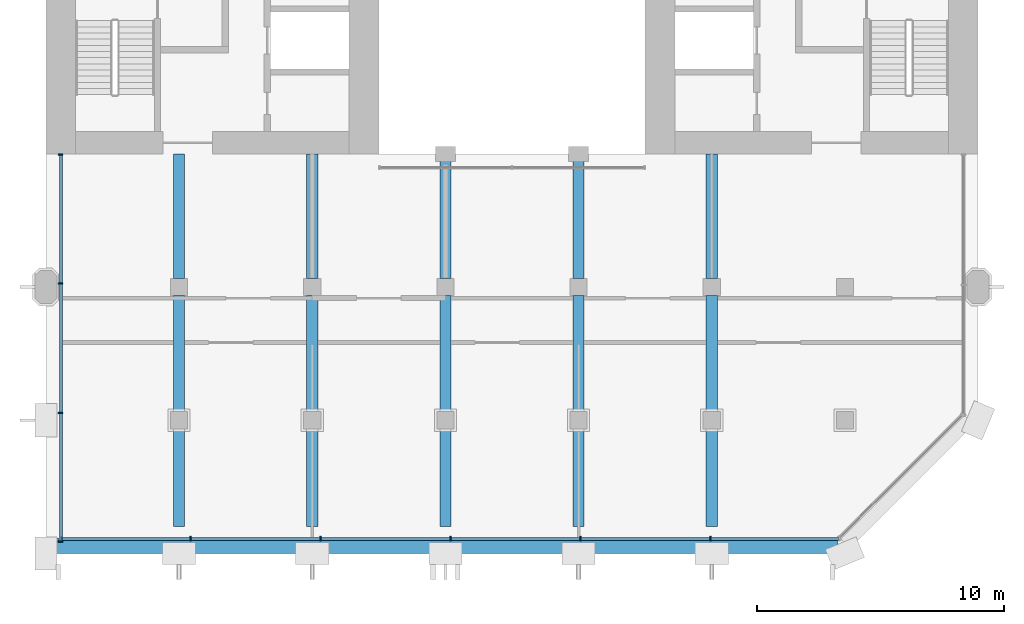
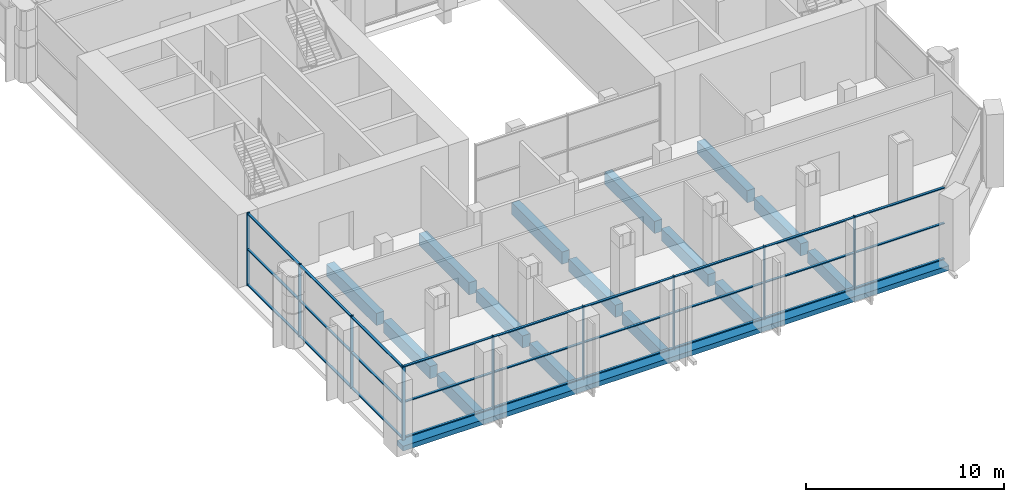
# One storey, part 2 of 13: 37 members, 16 beams, 2 elements without a shape of their own.
"""IFC4 building model written with IfcOpenShell, lengths in metres."""

import ifcopenshell
import ifcopenshell.guid

model = None  # the IFC model being written
_history = None  # IfcOwnerHistory: only IFC2X3 demands one
_inside = {}  # id of a spatial element -> (the spatial element, [elements in it])
_under = {}  # id of a project, library or spatial element -> (it, [spatial elements below it])
_declared = {}  # id of a project -> (the project, [libraries it declares])
_typed = {}  # id of a type object -> (the type object, [elements of that type])
_made_of = {}  # id of a material, layer set ... -> (it, [elements and type objects made of it])


def new_model(schema):
    """Start an empty IFC model of exactly this schema.

    Asked for "IFC4X3", IfcOpenShell would pick the latest addendum, in which some entities
    have other attributes; the version numbers below select the first issue.
    IFC2X3 requires an IfcOwnerHistory on every rooted entity: one is made here for all.
    """
    global model, _history
    if schema == "IFC4X3":
        model = ifcopenshell.file(schema_version=(4, 3, 0, 0))
    else:
        model = ifcopenshell.file(schema=schema)
    _inside.clear()
    _under.clear()
    _declared.clear()
    _typed.clear()
    _made_of.clear()
    _history = None
    if model.schema == "IFC2X3":
        org = make("IfcOrganization", Name="unknown")
        user = make(
            "IfcPersonAndOrganization",
            ThePerson=make("IfcPerson", FamilyName="unknown"),
            TheOrganization=org,
        )
        app = make(
            "IfcApplication",
            ApplicationDeveloper=org,
            Version="unknown",
            ApplicationFullName="unknown",
            ApplicationIdentifier="unknown",
        )
        _history = make(
            "IfcOwnerHistory",
            OwningUser=user,
            OwningApplication=app,
            ChangeAction="ADDED",
            CreationDate=0,
        )
    return model


def make(cls, **values):
    """One entity of the class cls with the attributes given. An attribute that is None is left unset."""
    return model.create_entity(
        cls, **{name: value for name, value in values.items() if value is not None}
    )


def rooted(cls, **values):
    """An entity with a GlobalId (a new one), such as an element, a storey or a relation."""
    return make(cls, GlobalId=ifcopenshell.guid.new(), OwnerHistory=_history, **values)


def si_unit(unit_type, name, prefix=None):
    """IfcSIUnit, for example si_unit("LENGTHUNIT", "METRE", prefix="MILLI")."""
    return make("IfcSIUnit", UnitType=unit_type, Prefix=prefix, Name=name)


def assignment(units):
    """IfcUnitAssignment: the units of a project."""
    return None if units is None else make("IfcUnitAssignment", Units=units)


def point(xyz):
    """IfcCartesianPoint."""
    return None if xyz is None else make("IfcCartesianPoint", Coordinates=xyz)


def direction(xyz):
    """IfcDirection."""
    return None if xyz is None else make("IfcDirection", DirectionRatios=xyz)


def frame(location, z_axis=None, x_axis=None):
    """IfcAxis2Placement3D, a coordinate frame: its origin and axes. An axis left out is left unset."""
    return make(
        "IfcAxis2Placement3D",
        Location=point(location),
        Axis=direction(z_axis),
        RefDirection=direction(x_axis),
    )


def frame_2d(location, x_axis=None):
    """IfcAxis2Placement2D, a coordinate frame in the plane: its origin and x axis."""
    return make(
        "IfcAxis2Placement2D", Location=point(location), RefDirection=direction(x_axis)
    )


def origin():
    """The frame at (0, 0, 0) with its axes left unset."""
    return frame((0.0, 0.0, 0.0))


def origin_2d():
    """The frame at (0, 0) in the plane with its x axis left unset."""
    return frame_2d((0.0, 0.0))


def place(relative_to, where):
    """IfcLocalPlacement: puts the frame where relative to a parent placement (None: the world)."""
    return make(
        "IfcLocalPlacement", PlacementRelTo=relative_to, RelativePlacement=where
    )


def context(
    kind, dimensions, precision=None, world=None, true_north=None, identifier=None
):
    """IfcGeometricRepresentationContext, for example the 3D "Model" context."""
    return make(
        "IfcGeometricRepresentationContext",
        ContextIdentifier=identifier,
        ContextType=kind,
        CoordinateSpaceDimension=dimensions,
        Precision=precision,
        WorldCoordinateSystem=world,
        TrueNorth=true_north,
    )


def subcontext(parent, identifier, kind, view, scale=None):
    """IfcGeometricRepresentationSubContext, for example "Body" below "Model"."""
    return make(
        "IfcGeometricRepresentationSubContext",
        ContextIdentifier=identifier,
        ContextType=kind,
        ParentContext=parent,
        TargetScale=scale,
        TargetView=view,
    )


def project(units=None, contexts=None):
    """IfcProject with its units and contexts."""
    return rooted(
        "IfcProject",
        Name="project",
        RepresentationContexts=contexts,
        UnitsInContext=assignment(units),
    )


def spatial(cls, under=None, at=None, **own):
    """A site, building, storey or space (cls), placed at a placement, below another one or the project."""
    s = rooted(cls, ObjectPlacement=at, **own)
    if under is not None:
        _under.setdefault(under.id(), (under, []))[1].append(s)
    return s


def profile(cls, at=None, kind="AREA", **sizes):
    """A parametric profile (cls). Its sizes go by their IFC names, for example OverallWidth=200.0."""
    return make(cls, ProfileType=kind, Position=at, **sizes)


def rectangle(**sizes):
    """IfcRectangleProfileDef."""
    return profile("IfcRectangleProfileDef", **sizes)


def extrude(swept, where, along, depth):
    """IfcExtrudedAreaSolid: the profile swept, set in the frame where, extruded along a direction by depth."""
    return make(
        "IfcExtrudedAreaSolid",
        SweptArea=swept,
        Position=where,
        ExtrudedDirection=direction(along),
        Depth=depth,
    )


def shape(context_of_items, identifier, shape_type, items):
    """IfcShapeRepresentation: the items that make up one representation, for example the "Body"."""
    return make(
        "IfcShapeRepresentation",
        ContextOfItems=context_of_items,
        RepresentationIdentifier=identifier,
        RepresentationType=shape_type,
        Items=items,
    )


def material(Name=None, Category=None):
    """IfcMaterial."""
    return make("IfcMaterial", Name=Name, Category=Category)


def material_profile(
    of_material, cross_section, Name=None, Category=None, Priority=None
):
    """IfcMaterialProfile: a cross section and its material."""
    return make(
        "IfcMaterialProfile",
        Name=Name,
        Material=of_material,
        Profile=cross_section,
        Priority=Priority,
        Category=Category,
    )


def profile_set(profiles, Name=None, composite=None):
    """IfcMaterialProfileSet."""
    return make(
        "IfcMaterialProfileSet",
        Name=Name,
        MaterialProfiles=profiles,
        CompositeProfile=composite,
    )


def made_of(thing, what):
    """Note that an element or type object is made of a material, layer set ...; save() writes the relation."""
    if what is not None:
        _made_of.setdefault(what.id(), (what, []))[1].append(thing)
    return thing


def type_object(cls, material=None, **own):
    """A type object (cls), such as IfcWallType, which elements share."""
    return made_of(rooted(cls, **own), material)


def element(
    cls,
    number,
    at=None,
    inside=None,
    cuts=None,
    type_object=None,
    material=None,
    context=None,
    identifier="Body",
    shape_type=None,
    held_by="IfcProductDefinitionShape",
    body=None,
    shapes=None,
    **own,
):
    """One element of the class cls, such as IfcWall. Its Tag is "e" and its number.

    at: its placement. inside: the storey or other place that contains it. cuts: it is an
    opening in that element (IfcRelVoidsElement). A single representation is given by context,
    identifier, shape_type and body (its items); several are given by shapes. held_by: the class
    of the entity that holds the representations. save() writes the other relations.
    """
    e = rooted(cls, Tag="e%d" % number, ObjectPlacement=at, **own)
    if body is not None:
        shapes = [shape(context, identifier, shape_type, body)]
    if shapes is not None:
        e.Representation = make(held_by, Representations=shapes)
    if inside is not None:
        _inside.setdefault(inside.id(), (inside, []))[1].append(e)
    if cuts is not None:
        rooted(
            "IfcRelVoidsElement", RelatingBuildingElement=cuts, RelatedOpeningElement=e
        )
    if type_object is not None:
        _typed.setdefault(type_object.id(), (type_object, []))[1].append(e)
    return made_of(e, material)


def aggregate(whole, parts):
    """IfcRelAggregates: a whole, such as a stair, and the parts it consists of."""
    return rooted("IfcRelAggregates", RelatingObject=whole, RelatedObjects=parts)


def save(model, path):
    """Write the relations noted so far, then the file.

    IfcRelAggregates (storeys below a building ...), IfcRelContainedInSpatialStructure (elements
    in a storey), IfcRelDefinesByType, IfcRelAssociatesMaterial and IfcRelDeclares: one each for
    every whole, place, type object, material and project.
    """
    for whole, parts in _under.values():
        aggregate(whole, parts)
    for where, things in _inside.values():
        rooted(
            "IfcRelContainedInSpatialStructure",
            RelatedElements=things,
            RelatingStructure=where,
        )
    for kind, things in _typed.values():
        rooted("IfcRelDefinesByType", RelatedObjects=things, RelatingType=kind)
    for what, things in _made_of.values():
        rooted("IfcRelAssociatesMaterial", RelatedObjects=things, RelatingMaterial=what)
    for by, libraries in _declared.values():
        rooted("IfcRelDeclares", RelatingContext=by, RelatedDefinitions=libraries)
    model.write(path)


model = new_model("IFC4")

# Units and contexts
model_context = context("Model", 3, precision=1e-05, world=origin(), true_north=direction((0.0, 1.0)))
body_context = subcontext(model_context, "Body", "Model", "MODEL_VIEW")
ifc_project = project(units=[si_unit("LENGTHUNIT", "METRE"), si_unit("AREAUNIT", "SQUARE_METRE"), si_unit("VOLUMEUNIT", "CUBIC_METRE"), si_unit("PLANEANGLEUNIT", "RADIAN"), si_unit("MASSUNIT", "GRAM", prefix="KILO")], contexts=[model_context])

# Site, building, storey
site_placement = place(None, origin())
site = spatial("IfcSite", under=ifc_project, at=site_placement, CompositionType="ELEMENT")
building_placement = place(site_placement, origin())
building = spatial("IfcBuilding", under=site, at=building_placement, Name="Tabaq Tower and Sports Hall", CompositionType="ELEMENT")
storey_placement = place(building_placement, frame((0.0, 0.0, 255.699951171875)))
storey = spatial("IfcBuildingStorey", under=building, at=storey_placement, Name="L62", CompositionType="ELEMENT", Elevation=255.699951171875)

# Curtain wall, members
ifc_material_1 = material(Name="Aluminium alloy 6063-T6 framed glazing", Category="aluminium")
curtain_wall_type = type_object("IfcCurtainWallType", Name="CW3 curtain wall", PredefinedType="USERDEFINED", material=ifc_material_1)
curtain_wall_1_placement = place(storey_placement, origin())
curtain_wall_1 = element("IfcCurtainWall", 1, at=curtain_wall_1_placement, inside=storey, type_object=curtain_wall_type, Name="Garden Floor Wall L62 S", ObjectType="GARDEN FLOOR WALL", PredefinedType="USERDEFINED")
ifc_material_2 = material(Name="Aluminium alloy 6063-T6", Category="aluminium")
ifc_material_profile_1 = material_profile(ifc_material_2, rectangle(XDim=0.179931640625, YDim=0.06005859375, at=origin_2d()), Name="MULLION 180x60")
ifc_profile_set_1 = profile_set([ifc_material_profile_1], Name="Aluminium alloy 6063-T6")
member_type_1 = type_object("IfcMemberType", Name="CW3 mullion 180x60", PredefinedType="MULLION", material=ifc_profile_set_1)
member_1_placement = place(storey_placement, frame((6.030029296875, 0.60009765625, 0.0), z_axis=(0.0, 0.0, 1.0), x_axis=(0.0, 1.0, 0.0)))
member_1 = element("IfcMember", 2, at=member_1_placement, type_object=member_type_1, Name="CW3 mullion 1", PredefinedType="MULLION", context=body_context, shape_type="SweptSolid", body=[
    extrude(rectangle(XDim=0.179931640625, YDim=0.06005859375, at=origin_2d()), origin(), (0.0, 0.0, 1.0), 4.5),
])
member_2_placement = place(storey_placement, frame((11.26904296875, 0.60009765625, 0.0), z_axis=(0.0, 0.0, 1.0), x_axis=(0.0, 1.0, 0.0)))
member_2 = element("IfcMember", 3, at=member_2_placement, type_object=member_type_1, Name="CW3 mullion 2", PredefinedType="MULLION", context=body_context, shape_type="SweptSolid", body=[
    extrude(rectangle(XDim=0.179931640625, YDim=0.06005859375, at=origin_2d()), origin(), (0.0, 0.0, 1.0), 4.5),
])
member_3_placement = place(storey_placement, frame((16.537841796875, 0.60009765625, 0.0), z_axis=(0.0, 0.0, 1.0), x_axis=(0.0, 1.0, 0.0)))
member_3 = element("IfcMember", 4, at=member_3_placement, type_object=member_type_1, Name="CW3 mullion 3", PredefinedType="MULLION", context=body_context, shape_type="SweptSolid", body=[
    extrude(rectangle(XDim=0.179931640625, YDim=0.06005859375, at=origin_2d()), origin(), (0.0, 0.0, 1.0), 4.5),
])
member_4_placement = place(storey_placement, frame((21.806884765625, 0.60009765625, 0.0), z_axis=(0.0, 0.0, 1.0), x_axis=(0.0, 1.0, 0.0)))
member_4 = element("IfcMember", 5, at=member_4_placement, type_object=member_type_1, Name="CW3 mullion 4", PredefinedType="MULLION", context=body_context, shape_type="SweptSolid", body=[
    extrude(rectangle(XDim=0.179931640625, YDim=0.06005859375, at=origin_2d()), origin(), (0.0, 0.0, 1.0), 4.5),
])
member_5_placement = place(storey_placement, frame((27.07568359375, 0.60009765625, 0.0), z_axis=(0.0, 0.0, 1.0), x_axis=(0.0, 1.0, 0.0)))
member_5 = element("IfcMember", 6, at=member_5_placement, type_object=member_type_1, Name="CW3 mullion 5", PredefinedType="MULLION", context=body_context, shape_type="SweptSolid", body=[
    extrude(rectangle(XDim=0.179931640625, YDim=0.06005859375, at=origin_2d()), origin(), (0.0, 0.0, 1.0), 4.5),
])
member_6_placement = place(storey_placement, frame((32.3447265625, 0.60009765625, 0.0), z_axis=(0.0, 0.0, 1.0), x_axis=(0.0, 1.0, 0.0)))
member_6 = element("IfcMember", 7, at=member_6_placement, type_object=member_type_1, Name="CW3 mullion 6", PredefinedType="MULLION", context=body_context, shape_type="SweptSolid", body=[
    extrude(rectangle(XDim=0.179931640625, YDim=0.06005859375, at=origin_2d()), origin(), (0.0, 0.0, 1.0), 4.5),
])

curtain_wall_2_placement = place(storey_placement, origin())
curtain_wall_2 = element("IfcCurtainWall", 8, at=curtain_wall_2_placement, inside=storey, type_object=curtain_wall_type, Name="Garden Floor Wall L62 W", ObjectType="GARDEN FLOOR WALL", PredefinedType="USERDEFINED")
member_7_placement = place(storey_placement, frame((6.0, 16.169921875, 0.0), z_axis=(0.0, 0.0, 1.0), x_axis=(1.0, 0.0, 0.0)))
member_7 = element("IfcMember", 9, at=member_7_placement, type_object=member_type_1, Name="CW3 mullion 1", PredefinedType="MULLION", context=body_context, shape_type="SweptSolid", body=[
    extrude(rectangle(XDim=0.179931640625, YDim=0.06005859375, at=origin_2d()), origin(), (0.0, 0.0, 1.0), 4.5),
])
member_8_placement = place(storey_placement, frame((6.0, 10.949951171875, 0.0), z_axis=(0.0, 0.0, 1.0), x_axis=(1.0, 0.0, 0.0)))
member_8 = element("IfcMember", 10, at=member_8_placement, type_object=member_type_1, Name="CW3 mullion 2", PredefinedType="MULLION", context=body_context, shape_type="SweptSolid", body=[
    extrude(rectangle(XDim=0.179931640625, YDim=0.06005859375, at=origin_2d()), origin(), (0.0, 0.0, 1.0), 4.5),
])
member_9_placement = place(storey_placement, frame((6.0, 5.699951171875, 0.0), z_axis=(0.0, 0.0, 1.0), x_axis=(1.0, 0.0, 0.0)))
member_9 = element("IfcMember", 11, at=member_9_placement, type_object=member_type_1, Name="CW3 mullion 3", PredefinedType="MULLION", context=body_context, shape_type="SweptSolid", body=[
    extrude(rectangle(XDim=0.179931640625, YDim=0.06005859375, at=origin_2d()), origin(), (0.0, 0.0, 1.0), 4.5),
])
member_10_placement = place(storey_placement, frame((6.0, 0.47998046875, 0.0), z_axis=(0.0, 0.0, 1.0), x_axis=(1.0, 0.0, 0.0)))
member_10 = element("IfcMember", 12, at=member_10_placement, type_object=member_type_1, Name="CW3 mullion 4", PredefinedType="MULLION", context=body_context, shape_type="SweptSolid", body=[
    extrude(rectangle(XDim=0.179931640625, YDim=0.06005859375, at=origin_2d()), origin(), (0.0, 0.0, 1.0), 4.5),
])

# Member
ifc_material_3 = material(Name="Aluminium alloy 6063-T6", Category="aluminium")
ifc_material_profile_2 = material_profile(ifc_material_3, rectangle(XDim=0.139892578125, YDim=0.06005859375, at=origin_2d()), Name="TRANSOM 140x60")
ifc_profile_set_2 = profile_set([ifc_material_profile_2], Name="Aluminium alloy 6063-T6")
member_type_2 = type_object("IfcMemberType", Name="CW3 transom 140x60", PredefinedType="USERDEFINED", material=ifc_profile_set_2)
member_11_placement = place(storey_placement, frame((6.06005859375, 0.60009765625, 0.070068359375), z_axis=(1.0, 0.0, 0.0), x_axis=(0.0, 1.0, 0.0)))
member_11 = element("IfcMember", 13, at=member_11_placement, type_object=member_type_2, Name="CW3 transom 1.1", ObjectType="TRANSOM", PredefinedType="USERDEFINED", context=body_context, shape_type="SweptSolid", body=[
    extrude(rectangle(XDim=0.139892578125, YDim=0.06005859375, at=origin_2d()), origin(), (0.0, 0.0, 1.0), 5.178955078125),
])

member_12_placement = place(storey_placement, frame((6.06005859375, 0.60009765625, 2.25), z_axis=(1.0, 0.0, 0.0), x_axis=(0.0, 1.0, 0.0)))
member_12 = element("IfcMember", 14, at=member_12_placement, type_object=member_type_2, Name="CW3 transom 1.2", ObjectType="TRANSOM", PredefinedType="USERDEFINED", context=body_context, shape_type="SweptSolid", body=[
    extrude(rectangle(XDim=0.139892578125, YDim=0.06005859375, at=origin_2d()), origin(), (0.0, 0.0, 1.0), 5.178955078125),
])

member_13_placement = place(storey_placement, frame((6.06005859375, 0.60009765625, 4.429931640625), z_axis=(1.0, 0.0, 0.0), x_axis=(0.0, 1.0, 0.0)))
member_13 = element("IfcMember", 15, at=member_13_placement, type_object=member_type_2, Name="CW3 transom 1.3", ObjectType="TRANSOM", PredefinedType="USERDEFINED", context=body_context, shape_type="SweptSolid", body=[
    extrude(rectangle(XDim=0.139892578125, YDim=0.06005859375, at=origin_2d()), origin(), (0.0, 0.0, 1.0), 5.178955078125),
])

member_14_placement = place(storey_placement, frame((11.298828125, 0.60009765625, 0.070068359375), z_axis=(1.0, 0.0, 0.0), x_axis=(0.0, 1.0, 0.0)))
member_14 = element("IfcMember", 16, at=member_14_placement, type_object=member_type_2, Name="CW3 transom 2.1", ObjectType="TRANSOM", PredefinedType="USERDEFINED", context=body_context, shape_type="SweptSolid", body=[
    extrude(rectangle(XDim=0.139892578125, YDim=0.06005859375, at=origin_2d()), origin(), (0.0, 0.0, 1.0), 5.208984375),
])

member_15_placement = place(storey_placement, frame((11.298828125, 0.60009765625, 2.25), z_axis=(1.0, 0.0, 0.0), x_axis=(0.0, 1.0, 0.0)))
member_15 = element("IfcMember", 17, at=member_15_placement, type_object=member_type_2, Name="CW3 transom 2.2", ObjectType="TRANSOM", PredefinedType="USERDEFINED", context=body_context, shape_type="SweptSolid", body=[
    extrude(rectangle(XDim=0.139892578125, YDim=0.06005859375, at=origin_2d()), origin(), (0.0, 0.0, 1.0), 5.208984375),
])

member_16_placement = place(storey_placement, frame((11.298828125, 0.60009765625, 4.429931640625), z_axis=(1.0, 0.0, 0.0), x_axis=(0.0, 1.0, 0.0)))
member_16 = element("IfcMember", 18, at=member_16_placement, type_object=member_type_2, Name="CW3 transom 2.3", ObjectType="TRANSOM", PredefinedType="USERDEFINED", context=body_context, shape_type="SweptSolid", body=[
    extrude(rectangle(XDim=0.139892578125, YDim=0.06005859375, at=origin_2d()), origin(), (0.0, 0.0, 1.0), 5.208984375),
])

member_17_placement = place(storey_placement, frame((16.56787109375, 0.60009765625, 0.070068359375), z_axis=(1.0, 0.0, 0.0), x_axis=(0.0, 1.0, 0.0)))
member_17 = element("IfcMember", 19, at=member_17_placement, type_object=member_type_2, Name="CW3 transom 3.1", ObjectType="TRANSOM", PredefinedType="USERDEFINED", context=body_context, shape_type="SweptSolid", body=[
    extrude(rectangle(XDim=0.139892578125, YDim=0.06005859375, at=origin_2d()), origin(), (0.0, 0.0, 1.0), 5.208984375),
])

member_18_placement = place(storey_placement, frame((16.56787109375, 0.60009765625, 2.25), z_axis=(1.0, 0.0, 0.0), x_axis=(0.0, 1.0, 0.0)))
member_18 = element("IfcMember", 20, at=member_18_placement, type_object=member_type_2, Name="CW3 transom 3.2", ObjectType="TRANSOM", PredefinedType="USERDEFINED", context=body_context, shape_type="SweptSolid", body=[
    extrude(rectangle(XDim=0.139892578125, YDim=0.06005859375, at=origin_2d()), origin(), (0.0, 0.0, 1.0), 5.208984375),
])

member_19_placement = place(storey_placement, frame((16.56787109375, 0.60009765625, 4.429931640625), z_axis=(1.0, 0.0, 0.0), x_axis=(0.0, 1.0, 0.0)))
member_19 = element("IfcMember", 21, at=member_19_placement, type_object=member_type_2, Name="CW3 transom 3.3", ObjectType="TRANSOM", PredefinedType="USERDEFINED", context=body_context, shape_type="SweptSolid", body=[
    extrude(rectangle(XDim=0.139892578125, YDim=0.06005859375, at=origin_2d()), origin(), (0.0, 0.0, 1.0), 5.208984375),
])

member_20_placement = place(storey_placement, frame((21.8369140625, 0.60009765625, 0.070068359375), z_axis=(1.0, 0.0, 0.0), x_axis=(0.0, 1.0, 0.0)))
member_20 = element("IfcMember", 22, at=member_20_placement, type_object=member_type_2, Name="CW3 transom 4.1", ObjectType="TRANSOM", PredefinedType="USERDEFINED", context=body_context, shape_type="SweptSolid", body=[
    extrude(rectangle(XDim=0.139892578125, YDim=0.06005859375, at=origin_2d()), origin(), (0.0, 0.0, 1.0), 5.208740234375),
])

member_21_placement = place(storey_placement, frame((21.8369140625, 0.60009765625, 2.25), z_axis=(1.0, 0.0, 0.0), x_axis=(0.0, 1.0, 0.0)))
member_21 = element("IfcMember", 23, at=member_21_placement, type_object=member_type_2, Name="CW3 transom 4.2", ObjectType="TRANSOM", PredefinedType="USERDEFINED", context=body_context, shape_type="SweptSolid", body=[
    extrude(rectangle(XDim=0.139892578125, YDim=0.06005859375, at=origin_2d()), origin(), (0.0, 0.0, 1.0), 5.208740234375),
])

member_22_placement = place(storey_placement, frame((21.8369140625, 0.60009765625, 4.429931640625), z_axis=(1.0, 0.0, 0.0), x_axis=(0.0, 1.0, 0.0)))
member_22 = element("IfcMember", 24, at=member_22_placement, type_object=member_type_2, Name="CW3 transom 4.3", ObjectType="TRANSOM", PredefinedType="USERDEFINED", context=body_context, shape_type="SweptSolid", body=[
    extrude(rectangle(XDim=0.139892578125, YDim=0.06005859375, at=origin_2d()), origin(), (0.0, 0.0, 1.0), 5.208740234375),
])

member_23_placement = place(storey_placement, frame((27.105712890625, 0.60009765625, 0.070068359375), z_axis=(1.0, 0.0, 0.0), x_axis=(0.0, 1.0, 0.0)))
member_23 = element("IfcMember", 25, at=member_23_placement, type_object=member_type_2, Name="CW3 transom 5.1", ObjectType="TRANSOM", PredefinedType="USERDEFINED", context=body_context, shape_type="SweptSolid", body=[
    extrude(rectangle(XDim=0.139892578125, YDim=0.06005859375, at=origin_2d()), origin(), (0.0, 0.0, 1.0), 5.208984375),
])

member_24_placement = place(storey_placement, frame((27.105712890625, 0.60009765625, 2.25), z_axis=(1.0, 0.0, 0.0), x_axis=(0.0, 1.0, 0.0)))
member_24 = element("IfcMember", 26, at=member_24_placement, type_object=member_type_2, Name="CW3 transom 5.2", ObjectType="TRANSOM", PredefinedType="USERDEFINED", context=body_context, shape_type="SweptSolid", body=[
    extrude(rectangle(XDim=0.139892578125, YDim=0.06005859375, at=origin_2d()), origin(), (0.0, 0.0, 1.0), 5.208984375),
])

member_25_placement = place(storey_placement, frame((27.105712890625, 0.60009765625, 4.429931640625), z_axis=(1.0, 0.0, 0.0), x_axis=(0.0, 1.0, 0.0)))
member_25 = element("IfcMember", 27, at=member_25_placement, type_object=member_type_2, Name="CW3 transom 5.3", ObjectType="TRANSOM", PredefinedType="USERDEFINED", context=body_context, shape_type="SweptSolid", body=[
    extrude(rectangle(XDim=0.139892578125, YDim=0.06005859375, at=origin_2d()), origin(), (0.0, 0.0, 1.0), 5.208984375),
])

member_26_placement = place(storey_placement, frame((32.374755859375, 0.60009765625, 0.070068359375), z_axis=(1.0, 0.0, 0.0), x_axis=(0.0, 1.0, 0.0)))
member_26 = element("IfcMember", 28, at=member_26_placement, type_object=member_type_2, Name="CW3 transom 6.1", ObjectType="TRANSOM", PredefinedType="USERDEFINED", context=body_context, shape_type="SweptSolid", body=[
    extrude(rectangle(XDim=0.139892578125, YDim=0.06005859375, at=origin_2d()), origin(), (0.0, 0.0, 1.0), 5.178955078125),
])

member_27_placement = place(storey_placement, frame((32.374755859375, 0.60009765625, 2.25), z_axis=(1.0, 0.0, 0.0), x_axis=(0.0, 1.0, 0.0)))
member_27 = element("IfcMember", 29, at=member_27_placement, type_object=member_type_2, Name="CW3 transom 6.2", ObjectType="TRANSOM", PredefinedType="USERDEFINED", context=body_context, shape_type="SweptSolid", body=[
    extrude(rectangle(XDim=0.139892578125, YDim=0.06005859375, at=origin_2d()), origin(), (0.0, 0.0, 1.0), 5.178955078125),
])

member_28_placement = place(storey_placement, frame((32.374755859375, 0.60009765625, 4.429931640625), z_axis=(1.0, 0.0, 0.0), x_axis=(0.0, 1.0, 0.0)))
member_28 = element("IfcMember", 30, at=member_28_placement, type_object=member_type_2, Name="CW3 transom 6.3", ObjectType="TRANSOM", PredefinedType="USERDEFINED", context=body_context, shape_type="SweptSolid", body=[
    extrude(rectangle(XDim=0.139892578125, YDim=0.06005859375, at=origin_2d()), origin(), (0.0, 0.0, 1.0), 5.178955078125),
])

aggregate(curtain_wall_1, [member_1, member_2, member_3, member_4, member_5, member_6, member_11, member_12, member_13, member_14, member_15, member_16, member_17, member_18, member_19, member_20, member_21, member_22, member_23, member_24, member_25, member_26, member_27, member_28])

member_29_placement = place(storey_placement, frame((6.0, 16.139892578125, 0.070068359375), z_axis=(0.0, -1.0, 0.0), x_axis=(1.0, 0.0, 0.0)))
member_29 = element("IfcMember", 31, at=member_29_placement, type_object=member_type_2, Name="CW3 transom 1.1", ObjectType="TRANSOM", PredefinedType="USERDEFINED", context=body_context, shape_type="SweptSolid", body=[
    extrude(rectangle(XDim=0.139892578125, YDim=0.06005859375, at=origin_2d()), origin(), (0.0, 0.0, 1.0), 5.159912109375),
])

member_30_placement = place(storey_placement, frame((6.0, 16.139892578125, 2.25), z_axis=(0.0, -1.0, 0.0), x_axis=(1.0, 0.0, 0.0)))
member_30 = element("IfcMember", 32, at=member_30_placement, type_object=member_type_2, Name="CW3 transom 1.2", ObjectType="TRANSOM", PredefinedType="USERDEFINED", context=body_context, shape_type="SweptSolid", body=[
    extrude(rectangle(XDim=0.139892578125, YDim=0.06005859375, at=origin_2d()), origin(), (0.0, 0.0, 1.0), 5.159912109375),
])

member_31_placement = place(storey_placement, frame((6.0, 16.139892578125, 4.429931640625), z_axis=(0.0, -1.0, 0.0), x_axis=(1.0, 0.0, 0.0)))
member_31 = element("IfcMember", 33, at=member_31_placement, type_object=member_type_2, Name="CW3 transom 1.3", ObjectType="TRANSOM", PredefinedType="USERDEFINED", context=body_context, shape_type="SweptSolid", body=[
    extrude(rectangle(XDim=0.139892578125, YDim=0.06005859375, at=origin_2d()), origin(), (0.0, 0.0, 1.0), 5.159912109375),
])

member_32_placement = place(storey_placement, frame((6.0, 10.919921875, 0.070068359375), z_axis=(0.0, -1.0, 0.0), x_axis=(1.0, 0.0, 0.0)))
member_32 = element("IfcMember", 34, at=member_32_placement, type_object=member_type_2, Name="CW3 transom 2.1", ObjectType="TRANSOM", PredefinedType="USERDEFINED", context=body_context, shape_type="SweptSolid", body=[
    extrude(rectangle(XDim=0.139892578125, YDim=0.06005859375, at=origin_2d()), origin(), (0.0, 0.0, 1.0), 5.18994140625),
])

member_33_placement = place(storey_placement, frame((6.0, 10.919921875, 2.25), z_axis=(0.0, -1.0, 0.0), x_axis=(1.0, 0.0, 0.0)))
member_33 = element("IfcMember", 35, at=member_33_placement, type_object=member_type_2, Name="CW3 transom 2.2", ObjectType="TRANSOM", PredefinedType="USERDEFINED", context=body_context, shape_type="SweptSolid", body=[
    extrude(rectangle(XDim=0.139892578125, YDim=0.06005859375, at=origin_2d()), origin(), (0.0, 0.0, 1.0), 5.18994140625),
])

member_34_placement = place(storey_placement, frame((6.0, 10.919921875, 4.429931640625), z_axis=(0.0, -1.0, 0.0), x_axis=(1.0, 0.0, 0.0)))
member_34 = element("IfcMember", 36, at=member_34_placement, type_object=member_type_2, Name="CW3 transom 2.3", ObjectType="TRANSOM", PredefinedType="USERDEFINED", context=body_context, shape_type="SweptSolid", body=[
    extrude(rectangle(XDim=0.139892578125, YDim=0.06005859375, at=origin_2d()), origin(), (0.0, 0.0, 1.0), 5.18994140625),
])

member_35_placement = place(storey_placement, frame((6.0, 5.669921875, 0.070068359375), z_axis=(0.0, -1.0, 0.0), x_axis=(1.0, 0.0, 0.0)))
member_35 = element("IfcMember", 37, at=member_35_placement, type_object=member_type_2, Name="CW3 transom 3.1", ObjectType="TRANSOM", PredefinedType="USERDEFINED", context=body_context, shape_type="SweptSolid", body=[
    extrude(rectangle(XDim=0.139892578125, YDim=0.06005859375, at=origin_2d()), origin(), (0.0, 0.0, 1.0), 5.159912109375),
])

member_36_placement = place(storey_placement, frame((6.0, 5.669921875, 2.25), z_axis=(0.0, -1.0, 0.0), x_axis=(1.0, 0.0, 0.0)))
member_36 = element("IfcMember", 38, at=member_36_placement, type_object=member_type_2, Name="CW3 transom 3.2", ObjectType="TRANSOM", PredefinedType="USERDEFINED", context=body_context, shape_type="SweptSolid", body=[
    extrude(rectangle(XDim=0.139892578125, YDim=0.06005859375, at=origin_2d()), origin(), (0.0, 0.0, 1.0), 5.159912109375),
])

member_37_placement = place(storey_placement, frame((6.0, 5.669921875, 4.429931640625), z_axis=(0.0, -1.0, 0.0), x_axis=(1.0, 0.0, 0.0)))
member_37 = element("IfcMember", 39, at=member_37_placement, type_object=member_type_2, Name="CW3 transom 3.3", ObjectType="TRANSOM", PredefinedType="USERDEFINED", context=body_context, shape_type="SweptSolid", body=[
    extrude(rectangle(XDim=0.139892578125, YDim=0.06005859375, at=origin_2d()), origin(), (0.0, 0.0, 1.0), 5.159912109375),
])

aggregate(curtain_wall_2, [member_7, member_8, member_9, member_10, member_29, member_30, member_31, member_32, member_33, member_34, member_35, member_36, member_37])

# Beams
ifc_material_4 = material(Name="Concrete C40/50", Category="concrete")
ifc_material_profile_3 = material_profile(ifc_material_4, rectangle(XDim=0.449951171875, YDim=0.75, at=origin_2d()), Name="CB 450x750")
ifc_profile_set_3 = profile_set([ifc_material_profile_3], Name="Concrete C40/50")
beam_type_1 = type_object("IfcBeamType", Name="PT CANTILEVER BEAM CB 450x750 C40/50", PredefinedType="BEAM", material=ifc_profile_set_3)
beam_1_placement = place(storey_placement, frame((10.800048828125, 1.10009765625, -0.675048828125), z_axis=(0.0, 1.0, 0.0), x_axis=(-1.0, 0.0, 0.0)))
element("IfcBeam", 40, at=beam_1_placement, inside=storey, type_object=beam_type_1, Name="Cantilever Beam L62 S2 span 1", PredefinedType="BEAM", context=body_context, shape_type="SweptSolid", body=[
    extrude(rectangle(XDim=0.449951171875, YDim=0.75, at=origin_2d()), origin(), (0.0, 0.0, 1.0), 3.949951171875),
])
beam_2_placement = place(storey_placement, frame((10.800048828125, 5.75, -0.675048828125), z_axis=(0.0, 1.0, 0.0), x_axis=(-1.0, 0.0, 0.0)))
element("IfcBeam", 41, at=beam_2_placement, inside=storey, type_object=beam_type_1, Name="Cantilever Beam L62 S2 span 2", PredefinedType="BEAM", context=body_context, shape_type="SweptSolid", body=[
    extrude(rectangle(XDim=0.449951171875, YDim=0.75, at=origin_2d()), origin(), (0.0, 0.0, 1.0), 4.699951171875),
])
beam_3_placement = place(storey_placement, frame((10.800048828125, 11.14990234375, -0.675048828125), z_axis=(0.0, 1.0, 0.0), x_axis=(-1.0, 0.0, 0.0)))
element("IfcBeam", 42, at=beam_3_placement, inside=storey, type_object=beam_type_1, Name="Cantilever Beam L62 S2 span 3", PredefinedType="BEAM", context=body_context, shape_type="SweptSolid", body=[
    extrude(rectangle(XDim=0.449951171875, YDim=0.75, at=origin_2d()), origin(), (0.0, 0.0, 1.0), 5.050048828125),
])
beam_4_placement = place(storey_placement, frame((16.199951171875, 1.10009765625, -0.675048828125), z_axis=(0.0, 1.0, 0.0), x_axis=(-1.0, 0.0, 0.0)))
element("IfcBeam", 43, at=beam_4_placement, inside=storey, type_object=beam_type_1, Name="Cantilever Beam L62 S3 span 1", PredefinedType="BEAM", context=body_context, shape_type="SweptSolid", body=[
    extrude(rectangle(XDim=0.449951171875, YDim=0.75, at=origin_2d()), origin(), (0.0, 0.0, 1.0), 3.949951171875),
])
beam_5_placement = place(storey_placement, frame((16.199951171875, 5.75, -0.675048828125), z_axis=(0.0, 1.0, 0.0), x_axis=(-1.0, 0.0, 0.0)))
element("IfcBeam", 44, at=beam_5_placement, inside=storey, type_object=beam_type_1, Name="Cantilever Beam L62 S3 span 2", PredefinedType="BEAM", context=body_context, shape_type="SweptSolid", body=[
    extrude(rectangle(XDim=0.449951171875, YDim=0.75, at=origin_2d()), origin(), (0.0, 0.0, 1.0), 4.699951171875),
])
beam_6_placement = place(storey_placement, frame((16.199951171875, 11.14990234375, -0.675048828125), z_axis=(0.0, 1.0, 0.0), x_axis=(-1.0, 0.0, 0.0)))
element("IfcBeam", 45, at=beam_6_placement, inside=storey, type_object=beam_type_1, Name="Cantilever Beam L62 S3 span 3", PredefinedType="BEAM", context=body_context, shape_type="SweptSolid", body=[
    extrude(rectangle(XDim=0.449951171875, YDim=0.75, at=origin_2d()), origin(), (0.0, 0.0, 1.0), 5.050048828125),
])
beam_7_placement = place(storey_placement, frame((21.60009765625, 1.10009765625, -0.675048828125), z_axis=(0.0, 1.0, 0.0), x_axis=(-1.0, 0.0, 0.0)))
element("IfcBeam", 46, at=beam_7_placement, inside=storey, type_object=beam_type_1, Name="Cantilever Beam L62 S4 span 1", PredefinedType="BEAM", context=body_context, shape_type="SweptSolid", body=[
    extrude(rectangle(XDim=0.449951171875, YDim=0.75, at=origin_2d()), origin(), (0.0, 0.0, 1.0), 3.949951171875),
])
beam_8_placement = place(storey_placement, frame((21.60009765625, 5.75, -0.675048828125), z_axis=(0.0, 1.0, 0.0), x_axis=(-1.0, 0.0, 0.0)))
element("IfcBeam", 47, at=beam_8_placement, inside=storey, type_object=beam_type_1, Name="Cantilever Beam L62 S4 span 2", PredefinedType="BEAM", context=body_context, shape_type="SweptSolid", body=[
    extrude(rectangle(XDim=0.449951171875, YDim=0.75, at=origin_2d()), origin(), (0.0, 0.0, 1.0), 4.699951171875),
])
beam_9_placement = place(storey_placement, frame((21.60009765625, 11.14990234375, -0.675048828125), z_axis=(0.0, 1.0, 0.0), x_axis=(-1.0, 0.0, 0.0)))
element("IfcBeam", 48, at=beam_9_placement, inside=storey, type_object=beam_type_1, Name="Cantilever Beam L62 S4 span 3", PredefinedType="BEAM", context=body_context, shape_type="SweptSolid", body=[
    extrude(rectangle(XDim=0.449951171875, YDim=0.75, at=origin_2d()), origin(), (0.0, 0.0, 1.0), 5.050048828125),
])
beam_10_placement = place(storey_placement, frame((27.0, 1.10009765625, -0.675048828125), z_axis=(0.0, 1.0, 0.0), x_axis=(-1.0, 0.0, 0.0)))
element("IfcBeam", 49, at=beam_10_placement, inside=storey, type_object=beam_type_1, Name="Cantilever Beam L62 S5 span 1", PredefinedType="BEAM", context=body_context, shape_type="SweptSolid", body=[
    extrude(rectangle(XDim=0.449951171875, YDim=0.75, at=origin_2d()), origin(), (0.0, 0.0, 1.0), 3.949951171875),
])
beam_11_placement = place(storey_placement, frame((27.0, 5.75, -0.675048828125), z_axis=(0.0, 1.0, 0.0), x_axis=(-1.0, 0.0, 0.0)))
element("IfcBeam", 50, at=beam_11_placement, inside=storey, type_object=beam_type_1, Name="Cantilever Beam L62 S5 span 2", PredefinedType="BEAM", context=body_context, shape_type="SweptSolid", body=[
    extrude(rectangle(XDim=0.449951171875, YDim=0.75, at=origin_2d()), origin(), (0.0, 0.0, 1.0), 4.699951171875),
])
beam_12_placement = place(storey_placement, frame((27.0, 11.14990234375, -0.675048828125), z_axis=(0.0, 1.0, 0.0), x_axis=(-1.0, 0.0, 0.0)))
element("IfcBeam", 51, at=beam_12_placement, inside=storey, type_object=beam_type_1, Name="Cantilever Beam L62 S5 span 3", PredefinedType="BEAM", context=body_context, shape_type="SweptSolid", body=[
    extrude(rectangle(XDim=0.449951171875, YDim=0.75, at=origin_2d()), origin(), (0.0, 0.0, 1.0), 5.050048828125),
])
beam_13_placement = place(storey_placement, frame((32.39990234375, 1.10009765625, -0.675048828125), z_axis=(0.0, 1.0, 0.0), x_axis=(-1.0, 0.0, 0.0)))
element("IfcBeam", 52, at=beam_13_placement, inside=storey, type_object=beam_type_1, Name="Cantilever Beam L62 S6 span 1", PredefinedType="BEAM", context=body_context, shape_type="SweptSolid", body=[
    extrude(rectangle(XDim=0.449951171875, YDim=0.75, at=origin_2d()), origin(), (0.0, 0.0, 1.0), 3.949951171875),
])
beam_14_placement = place(storey_placement, frame((32.39990234375, 5.75, -0.675048828125), z_axis=(0.0, 1.0, 0.0), x_axis=(-1.0, 0.0, 0.0)))
element("IfcBeam", 53, at=beam_14_placement, inside=storey, type_object=beam_type_1, Name="Cantilever Beam L62 S6 span 2", PredefinedType="BEAM", context=body_context, shape_type="SweptSolid", body=[
    extrude(rectangle(XDim=0.449951171875, YDim=0.75, at=origin_2d()), origin(), (0.0, 0.0, 1.0), 4.699951171875),
])
beam_15_placement = place(storey_placement, frame((32.39990234375, 11.14990234375, -0.675048828125), z_axis=(0.0, 1.0, 0.0), x_axis=(-1.0, 0.0, 0.0)))
element("IfcBeam", 54, at=beam_15_placement, inside=storey, type_object=beam_type_1, Name="Cantilever Beam L62 S6 span 3", PredefinedType="BEAM", context=body_context, shape_type="SweptSolid", body=[
    extrude(rectangle(XDim=0.449951171875, YDim=0.75, at=origin_2d()), origin(), (0.0, 0.0, 1.0), 5.050048828125),
])
ifc_material_5 = material(Name="Concrete C40/50", Category="concrete")
ifc_material_profile_4 = material_profile(ifc_material_5, rectangle(XDim=0.60009765625, YDim=0.300048828125, at=origin_2d()), Name="EB 600x300")
ifc_profile_set_4 = profile_set([ifc_material_profile_4], Name="Concrete C40/50")
beam_type_2 = type_object("IfcBeamType", Name="PT EDGE BEAM EB 600x300 C40/50", PredefinedType="SPANDREL", material=ifc_profile_set_4)
beam_16_placement = place(storey_placement, frame((5.68994140625, 0.300048828125, -0.14990234375), z_axis=(1.0, 0.0, 0.0), x_axis=(0.0, 1.0, 0.0)))
element("IfcBeam", 55, at=beam_16_placement, inside=storey, type_object=beam_type_2, Name="Edge Beam L62 1", PredefinedType="SPANDREL", context=body_context, shape_type="SweptSolid", body=[
    extrude(rectangle(XDim=0.60009765625, YDim=0.300048828125, at=origin_2d()), origin(), (0.0, 0.0, 1.0), 31.8115234375),
])

save(model, "model.ifc")
